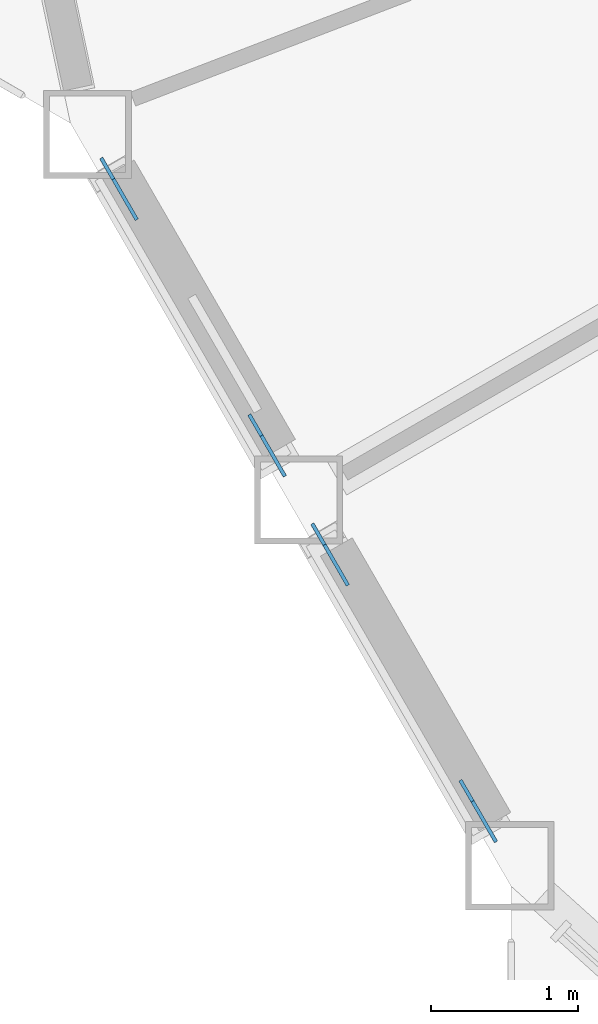
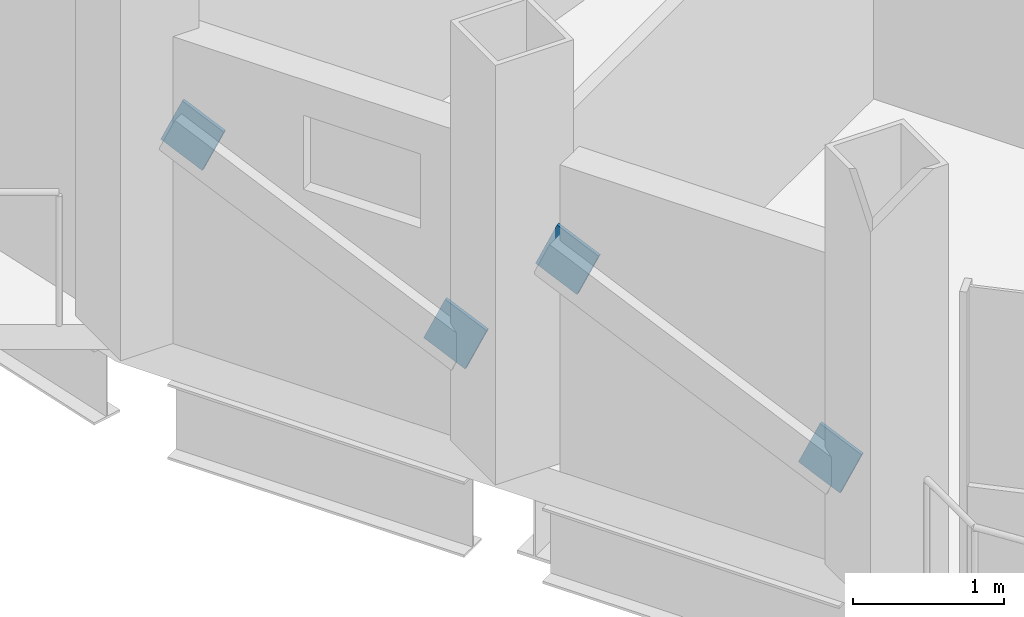
# One storey, part 19 of 26: 4 discrete accessories.
"""IFC4 building model written with IfcOpenShell, lengths in metres."""

import ifcopenshell
import ifcopenshell.guid

model = None  # the IFC model being written
_history = None  # IfcOwnerHistory: only IFC2X3 demands one
_inside = {}  # id of a spatial element -> (the spatial element, [elements in it])
_under = {}  # id of a project, library or spatial element -> (it, [spatial elements below it])
_declared = {}  # id of a project -> (the project, [libraries it declares])
_typed = {}  # id of a type object -> (the type object, [elements of that type])
_made_of = {}  # id of a material, layer set ... -> (it, [elements and type objects made of it])


def new_model(schema):
    """Start an empty IFC model of exactly this schema.

    Asked for "IFC4X3", IfcOpenShell would pick the latest addendum, in which some entities
    have other attributes; the version numbers below select the first issue.
    IFC2X3 requires an IfcOwnerHistory on every rooted entity: one is made here for all.
    """
    global model, _history
    if schema == "IFC4X3":
        model = ifcopenshell.file(schema_version=(4, 3, 0, 0))
    else:
        model = ifcopenshell.file(schema=schema)
    _inside.clear()
    _under.clear()
    _declared.clear()
    _typed.clear()
    _made_of.clear()
    _history = None
    if model.schema == "IFC2X3":
        org = make("IfcOrganization", Name="unknown")
        user = make(
            "IfcPersonAndOrganization",
            ThePerson=make("IfcPerson", FamilyName="unknown"),
            TheOrganization=org,
        )
        app = make(
            "IfcApplication",
            ApplicationDeveloper=org,
            Version="unknown",
            ApplicationFullName="unknown",
            ApplicationIdentifier="unknown",
        )
        _history = make(
            "IfcOwnerHistory",
            OwningUser=user,
            OwningApplication=app,
            ChangeAction="ADDED",
            CreationDate=0,
        )
    return model


def make(cls, **values):
    """One entity of the class cls with the attributes given. An attribute that is None is left unset."""
    return model.create_entity(
        cls, **{name: value for name, value in values.items() if value is not None}
    )


def rooted(cls, **values):
    """An entity with a GlobalId (a new one), such as an element, a storey or a relation."""
    return make(cls, GlobalId=ifcopenshell.guid.new(), OwnerHistory=_history, **values)


def si_unit(unit_type, name, prefix=None):
    """IfcSIUnit, for example si_unit("LENGTHUNIT", "METRE", prefix="MILLI")."""
    return make("IfcSIUnit", UnitType=unit_type, Prefix=prefix, Name=name)


def assignment(units):
    """IfcUnitAssignment: the units of a project."""
    return None if units is None else make("IfcUnitAssignment", Units=units)


def point(xyz):
    """IfcCartesianPoint."""
    return None if xyz is None else make("IfcCartesianPoint", Coordinates=xyz)


def direction(xyz):
    """IfcDirection."""
    return None if xyz is None else make("IfcDirection", DirectionRatios=xyz)


def frame(location, z_axis=None, x_axis=None):
    """IfcAxis2Placement3D, a coordinate frame: its origin and axes. An axis left out is left unset."""
    return make(
        "IfcAxis2Placement3D",
        Location=point(location),
        Axis=direction(z_axis),
        RefDirection=direction(x_axis),
    )


def frame_2d(location, x_axis=None):
    """IfcAxis2Placement2D, a coordinate frame in the plane: its origin and x axis."""
    return make(
        "IfcAxis2Placement2D", Location=point(location), RefDirection=direction(x_axis)
    )


def origin():
    """The frame at (0, 0, 0) with its axes left unset."""
    return frame((0.0, 0.0, 0.0))


def origin_2d():
    """The frame at (0, 0) in the plane with its x axis left unset."""
    return frame_2d((0.0, 0.0))


def place(relative_to, where):
    """IfcLocalPlacement: puts the frame where relative to a parent placement (None: the world)."""
    return make(
        "IfcLocalPlacement", PlacementRelTo=relative_to, RelativePlacement=where
    )


def context(
    kind, dimensions, precision=None, world=None, true_north=None, identifier=None
):
    """IfcGeometricRepresentationContext, for example the 3D "Model" context."""
    return make(
        "IfcGeometricRepresentationContext",
        ContextIdentifier=identifier,
        ContextType=kind,
        CoordinateSpaceDimension=dimensions,
        Precision=precision,
        WorldCoordinateSystem=world,
        TrueNorth=true_north,
    )


def subcontext(parent, identifier, kind, view, scale=None):
    """IfcGeometricRepresentationSubContext, for example "Body" below "Model"."""
    return make(
        "IfcGeometricRepresentationSubContext",
        ContextIdentifier=identifier,
        ContextType=kind,
        ParentContext=parent,
        TargetScale=scale,
        TargetView=view,
    )


def project(units=None, contexts=None):
    """IfcProject with its units and contexts."""
    return rooted(
        "IfcProject",
        Name="project",
        RepresentationContexts=contexts,
        UnitsInContext=assignment(units),
    )


def spatial(cls, under=None, at=None, **own):
    """A site, building, storey or space (cls), placed at a placement, below another one or the project."""
    s = rooted(cls, ObjectPlacement=at, **own)
    if under is not None:
        _under.setdefault(under.id(), (under, []))[1].append(s)
    return s


def profile(cls, at=None, kind="AREA", **sizes):
    """A parametric profile (cls). Its sizes go by their IFC names, for example OverallWidth=200.0."""
    return make(cls, ProfileType=kind, Position=at, **sizes)


def rectangle(**sizes):
    """IfcRectangleProfileDef."""
    return profile("IfcRectangleProfileDef", **sizes)


def extrude(swept, where, along, depth):
    """IfcExtrudedAreaSolid: the profile swept, set in the frame where, extruded along a direction by depth."""
    return make(
        "IfcExtrudedAreaSolid",
        SweptArea=swept,
        Position=where,
        ExtrudedDirection=direction(along),
        Depth=depth,
    )


def shape(context_of_items, identifier, shape_type, items):
    """IfcShapeRepresentation: the items that make up one representation, for example the "Body"."""
    return make(
        "IfcShapeRepresentation",
        ContextOfItems=context_of_items,
        RepresentationIdentifier=identifier,
        RepresentationType=shape_type,
        Items=items,
    )


def material(Name=None, Category=None):
    """IfcMaterial."""
    return make("IfcMaterial", Name=Name, Category=Category)


def material_profile(
    of_material, cross_section, Name=None, Category=None, Priority=None
):
    """IfcMaterialProfile: a cross section and its material."""
    return make(
        "IfcMaterialProfile",
        Name=Name,
        Material=of_material,
        Profile=cross_section,
        Priority=Priority,
        Category=Category,
    )


def profile_set(profiles, Name=None, composite=None):
    """IfcMaterialProfileSet."""
    return make(
        "IfcMaterialProfileSet",
        Name=Name,
        MaterialProfiles=profiles,
        CompositeProfile=composite,
    )


def made_of(thing, what):
    """Note that an element or type object is made of a material, layer set ...; save() writes the relation."""
    if what is not None:
        _made_of.setdefault(what.id(), (what, []))[1].append(thing)
    return thing


def type_object(cls, material=None, **own):
    """A type object (cls), such as IfcWallType, which elements share."""
    return made_of(rooted(cls, **own), material)


def element(
    cls,
    number,
    at=None,
    inside=None,
    cuts=None,
    type_object=None,
    material=None,
    context=None,
    identifier="Body",
    shape_type=None,
    held_by="IfcProductDefinitionShape",
    body=None,
    shapes=None,
    **own,
):
    """One element of the class cls, such as IfcWall. Its Tag is "e" and its number.

    at: its placement. inside: the storey or other place that contains it. cuts: it is an
    opening in that element (IfcRelVoidsElement). A single representation is given by context,
    identifier, shape_type and body (its items); several are given by shapes. held_by: the class
    of the entity that holds the representations. save() writes the other relations.
    """
    e = rooted(cls, Tag="e%d" % number, ObjectPlacement=at, **own)
    if body is not None:
        shapes = [shape(context, identifier, shape_type, body)]
    if shapes is not None:
        e.Representation = make(held_by, Representations=shapes)
    if inside is not None:
        _inside.setdefault(inside.id(), (inside, []))[1].append(e)
    if cuts is not None:
        rooted(
            "IfcRelVoidsElement", RelatingBuildingElement=cuts, RelatedOpeningElement=e
        )
    if type_object is not None:
        _typed.setdefault(type_object.id(), (type_object, []))[1].append(e)
    return made_of(e, material)


def aggregate(whole, parts):
    """IfcRelAggregates: a whole, such as a stair, and the parts it consists of."""
    return rooted("IfcRelAggregates", RelatingObject=whole, RelatedObjects=parts)


def save(model, path):
    """Write the relations noted so far, then the file.

    IfcRelAggregates (storeys below a building ...), IfcRelContainedInSpatialStructure (elements
    in a storey), IfcRelDefinesByType, IfcRelAssociatesMaterial and IfcRelDeclares: one each for
    every whole, place, type object, material and project.
    """
    for whole, parts in _under.values():
        aggregate(whole, parts)
    for where, things in _inside.values():
        rooted(
            "IfcRelContainedInSpatialStructure",
            RelatedElements=things,
            RelatingStructure=where,
        )
    for kind, things in _typed.values():
        rooted("IfcRelDefinesByType", RelatedObjects=things, RelatingType=kind)
    for what, things in _made_of.values():
        rooted("IfcRelAssociatesMaterial", RelatedObjects=things, RelatingMaterial=what)
    for by, libraries in _declared.values():
        rooted("IfcRelDeclares", RelatingContext=by, RelatedDefinitions=libraries)
    model.write(path)


model = new_model("IFC4")

# Units and contexts
model_context = context("Model", 3, precision=1e-05, world=origin(), true_north=direction((0.0, 1.0)))
body_context = subcontext(model_context, "Body", "Model", "MODEL_VIEW")
ifc_project = project(units=[si_unit("LENGTHUNIT", "METRE"), si_unit("AREAUNIT", "SQUARE_METRE"), si_unit("VOLUMEUNIT", "CUBIC_METRE"), si_unit("PLANEANGLEUNIT", "RADIAN"), si_unit("MASSUNIT", "GRAM", prefix="KILO")], contexts=[model_context])

# Site, building, storey
site_placement = place(None, origin())
site = spatial("IfcSite", under=ifc_project, at=site_placement, CompositionType="ELEMENT")
building_placement = place(site_placement, origin())
building = spatial("IfcBuilding", under=site, at=building_placement, Name="Cormorant Prow Tower", CompositionType="ELEMENT")
storey_placement = place(building_placement, frame((0.0, 0.0, 339.199951171875)))
storey = spatial("IfcBuildingStorey", under=building, at=storey_placement, Name="L76", CompositionType="ELEMENT", Elevation=339.199951171875)

# Discrete accessories
ifc_material = material(Name="Structural steel ASTM A500 Gr C", Category="steel")
ifc_material_profile = material_profile(ifc_material, rectangle(XDim=0.02490234375, YDim=0.405029296875, at=origin_2d()), Name="Gusset plate 25x405")
ifc_profile_set = profile_set([ifc_material_profile], Name="Structural steel ASTM A500 Gr C")
discrete_accessory_type = type_object("IfcDiscreteAccessoryType", Name="Gusset plate 25x405", PredefinedType="BRACKET", material=ifc_profile_set)
for number, where, z_axis, x_axis, name in (
    (1, (-27.7265625, -15.328369140625, 0.86376953125), (0.456239480558, -0.790396531303, -0.408801736402), (0.866071029786, 0.499920965119, 0.0), "Gusset plate GP3 L76.WSW00.g0"),
    (2, (-28.574951171875, -13.85888671875, 1.624267578125), (-0.456239480558, 0.790396531303, 0.408801736402), (-0.866071029786, -0.499920965119, 0.0), "Gusset plate GP3 L76.WSW00.g1"),
):
    element("IfcDiscreteAccessory", number, at=place(storey_placement, frame(where, z_axis=z_axis, x_axis=x_axis)), inside=storey, type_object=discrete_accessory_type, Name=name, PredefinedType="BRACKET", context=body_context, shape_type="SweptSolid", body=[
        extrude(rectangle(XDim=0.02490234375, YDim=0.405029296875, at=origin_2d()), origin(), (0.0, 0.0, 1.0), 0.349853515625),
    ])
discrete_accessory_1_placement = place(storey_placement, frame((-26.289794921875, -17.817138671875, 0.86376953125), z_axis=(0.456791619277, -0.790144892581, -0.408671586101), x_axis=(0.865740004385, 0.50049400077, 0.0)))
element("IfcDiscreteAccessory", 3, at=discrete_accessory_1_placement, inside=storey, type_object=discrete_accessory_type, Name="Gusset plate GP3 L76.WSW01.g0", PredefinedType="BRACKET", context=body_context, shape_type="SweptSolid", body=[
    extrude(rectangle(XDim=0.02490234375, YDim=0.405029296875, at=origin_2d()), origin(), (0.0, 0.0, 1.0), 0.35009765625),
])
discrete_accessory_2_placement = place(storey_placement, frame((-27.137939453125, -16.34765625, 1.624267578125), z_axis=(-0.45649114423, 0.790134518758, 0.409027233209), x_axis=(-0.865879799044, -0.500252110048, 0.0)))
element("IfcDiscreteAccessory", 4, at=discrete_accessory_2_placement, inside=storey, type_object=discrete_accessory_type, Name="Gusset plate GP3 L76.WSW01.g1", PredefinedType="BRACKET", context=body_context, shape_type="SweptSolid", body=[
    extrude(rectangle(XDim=0.02490234375, YDim=0.405029296875, at=origin_2d()), origin(), (0.0, 0.0, 1.0), 0.349853515625),
])

save(model, "model.ifc")
